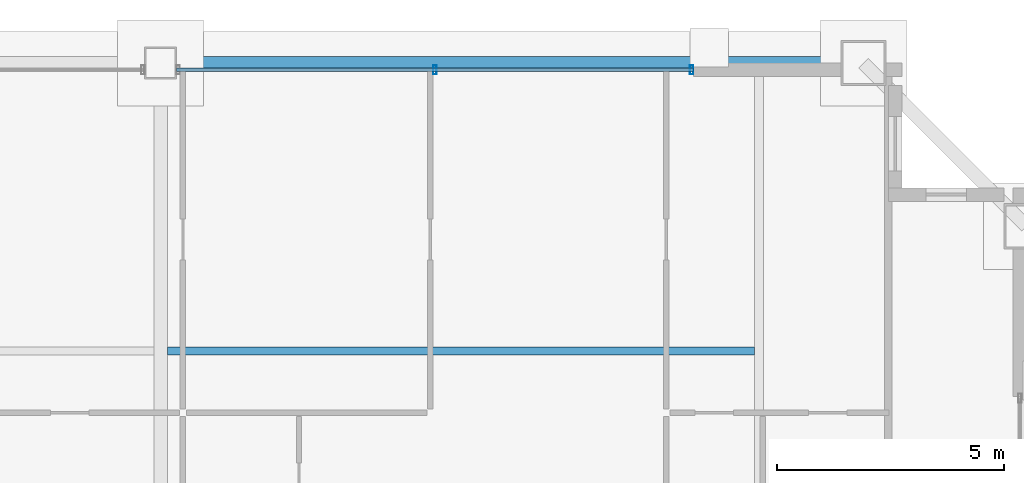
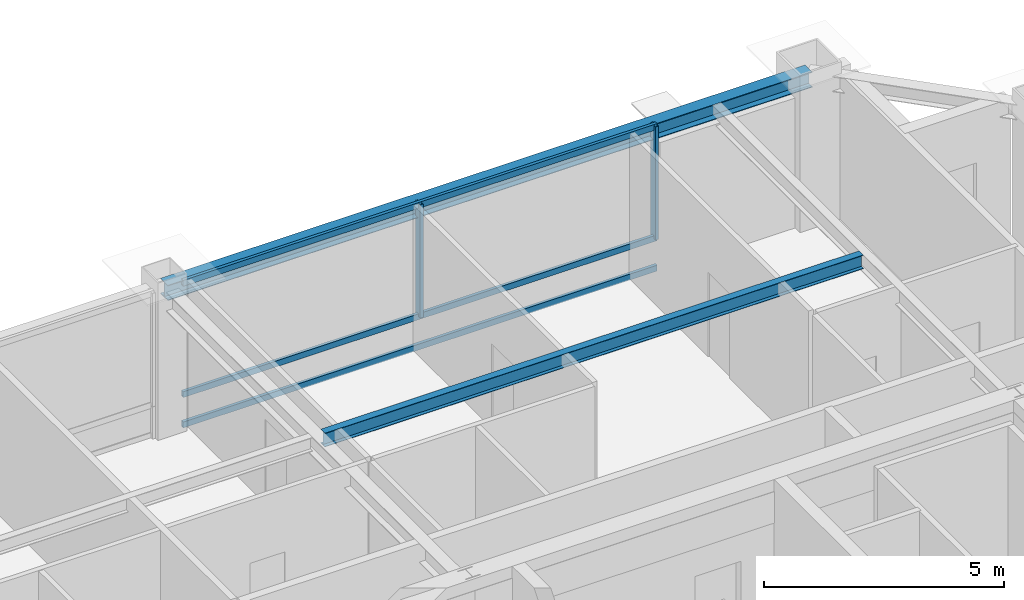
# One storey, part 19 of 34: 5 members, 2 beams, 1 element without a shape of its own.
"""IFC4 building model written with IfcOpenShell, lengths in metres."""

from ifc_helpers import new_model, si_unit, direction, frame, origin, origin_2d, place, context, subcontext, project, spatial, hollow_rectangle, i_section, extrude, source, transform, mapped, material, layer, layer_set, material_profile, profile_set, type_object, element, aggregate, save


model = new_model("IFC4")

# Units and contexts
model_context = context("Model", 3, precision=1e-05, world=origin(), true_north=direction((0.0, 1.0)))
body_context = subcontext(model_context, "Body", "Model", "MODEL_VIEW")
ifc_project = project(units=[si_unit("LENGTHUNIT", "METRE"), si_unit("AREAUNIT", "SQUARE_METRE"), si_unit("VOLUMEUNIT", "CUBIC_METRE"), si_unit("PLANEANGLEUNIT", "RADIAN"), si_unit("MASSUNIT", "GRAM", prefix="KILO"), si_unit("THERMODYNAMICTEMPERATUREUNIT", "KELVIN"), si_unit("POWERUNIT", "WATT")], contexts=[model_context])

# Site, building, storey
site_placement = place(None, origin())
site = spatial("IfcSite", under=ifc_project, at=site_placement, CompositionType="ELEMENT")
building_placement = place(site_placement, origin())
building = spatial("IfcBuilding", under=site, at=building_placement, Name="Yuzanri Waterfront Tower", CompositionType="ELEMENT")
storey_placement = place(building_placement, frame((0.0, 0.0, 347.199951171875)))
storey = spatial("IfcBuildingStorey", under=building, at=storey_placement, Name="L93", CompositionType="ELEMENT", Elevation=347.199951171875)

# Beams
ifc_material_1 = material(Name="Steel Q355B", Category="steel")
ifc_material_profile_1 = material_profile(ifc_material_1, i_section(OverallWidth=0.175048828125, OverallDepth=0.35009765625, WebThickness=0.007080078125, FlangeThickness=0.010986328125, at=origin_2d()), Name="HN 350x175x7x11")
ifc_profile_set_1 = profile_set([ifc_material_profile_1], Name="Steel Q355B")
beam_type_1 = type_object("IfcBeamType", Name="Floor Joist Q355B HN 350x175", PredefinedType="JOIST", material=ifc_profile_set_1)
shared_shape_1 = source(origin(), body_context, "Body", "SweptSolid", [
    extrude(i_section(OverallWidth=0.175048828125, OverallDepth=0.35009765625, WebThickness=0.007080078125, FlangeThickness=0.010986328125, at=origin_2d()), origin(), (0.0, 0.0, 1.0), 12.9501953125),
])
beam_1_placement = place(storey_placement, frame((37.14990234375, 38.550048828125, 3.525146484375), z_axis=(1.0, 0.0, 0.0), x_axis=(0.0, 1.0, 0.0)))
element("IfcBeam", 1, at=beam_1_placement, inside=storey, type_object=beam_type_1, Name="L93 North Bay Joist E", PredefinedType="JOIST", context=body_context, shape_type="MappedRepresentation", body=[
    mapped(shared_shape_1, transform((0.0, 0.0, 0.0), scale=1.0)),
])
ifc_material_2 = material(Name="Steel Q355B", Category="steel")
ifc_material_profile_2 = material_profile(ifc_material_2, i_section(OverallWidth=0.300048828125, OverallDepth=0.389892578125, WebThickness=0.010009765625, FlangeThickness=0.01611328125, at=origin_2d()), Name="HM 390x300x10x16")
ifc_profile_set_2 = profile_set([ifc_material_profile_2], Name="Steel Q355B")
beam_type_2 = type_object("IfcBeamType", Name="Perimeter Spandrel Q355B HM 390x300", PredefinedType="SPANDREL", material=ifc_profile_set_2)
shared_shape_2 = source(origin(), body_context, "Body", "SweptSolid", [
    extrude(i_section(OverallWidth=0.300048828125, OverallDepth=0.389892578125, WebThickness=0.010009765625, FlangeThickness=0.01611328125, at=origin_2d()), origin(), (0.0, 0.0, 1.0), 15.5),
])
beam_2_placement = place(storey_placement, frame((52.5, 44.89990234375, 3.505126953125), z_axis=(-1.0, 0.0, 0.0), x_axis=(0.0, -1.0, 0.0)))
element("IfcBeam", 2, at=beam_2_placement, inside=storey, type_object=beam_type_2, Name="L93 Perimeter Spandrel N3-N2", PredefinedType="SPANDREL", context=body_context, shape_type="MappedRepresentation", body=[
    mapped(shared_shape_2, transform((0.0, 0.0, 0.0), scale=1.0)),
])

# Curtain wall, members
ifc_material_3 = material(Name="Anodized Architectural Bronze", Category="metal")
ifc_layer = layer(ifc_material_3, 0.159912109375)
ifc_layer_set = layer_set([ifc_layer], Name="Anodized Architectural Bronze")
curtain_wall_type = type_object("IfcCurtainWallType", Name="Anodized Bronze High-Rise Penthouse High-Wind Unitized Curtain Wall 6900", PredefinedType="NOTDEFINED", material=ifc_layer_set)
curtain_wall_placement = place(storey_placement, origin())
curtain_wall = element("IfcCurtainWall", 3, at=curtain_wall_placement, inside=storey, type_object=curtain_wall_type, Name="L93 Curtain Wall CW-L93-NR", PredefinedType="NOTDEFINED")
ifc_material_4 = material(Name="Anodized Architectural Bronze", Category="metal")
ifc_material_profile_3 = material_profile(ifc_material_4, hollow_rectangle(XDim=0.074951171875, YDim=0.14990234375, WallThickness=0.00390625, at=origin_2d()), Name="CWT 75x150")
ifc_profile_set_3 = profile_set([ifc_material_profile_3], Name="Anodized Architectural Bronze")
member_type_1 = type_object("IfcMemberType", Name="Anodized Bronze Primary Curtain-Wall Transom 75x150", PredefinedType="USERDEFINED", material=ifc_profile_set_3)
shared_shape_3 = source(origin(), body_context, "Body", "SweptSolid", [
    extrude(hollow_rectangle(XDim=0.074951171875, YDim=0.14990234375, WallThickness=0.00390625, at=origin_2d()), origin(), (0.0, 0.0, 1.0), 11.39990234375),
])
member_1_placement = place(storey_placement, frame((37.35009765625, 44.75, 0.050048828125), z_axis=(1.0, 0.0, 0.0), x_axis=(0.0, 1.0, 0.0)))
member_1 = element("IfcMember", 4, at=member_1_placement, type_object=member_type_1, Name="CW-L93-NR Transom 1", ObjectType="TRANSOM", PredefinedType="USERDEFINED", context=body_context, shape_type="MappedRepresentation", body=[
    mapped(shared_shape_3, transform((0.0, 0.0, 0.0), scale=1.0)),
])
member_2_placement = place(storey_placement, frame((37.35009765625, 44.75, 0.820068359375), z_axis=(1.0, 0.0, 0.0), x_axis=(0.0, 1.0, 0.0)))
member_2 = element("IfcMember", 5, at=member_2_placement, type_object=member_type_1, Name="CW-L93-NR Transom 2", ObjectType="TRANSOM", PredefinedType="USERDEFINED", context=body_context, shape_type="MappedRepresentation", body=[
    mapped(shared_shape_3, transform((0.0, 0.0, 0.0), scale=1.0)),
])
member_3_placement = place(storey_placement, frame((37.35009765625, 44.75, 3.650146484375), z_axis=(1.0, 0.0, 0.0), x_axis=(0.0, 1.0, 0.0)))
member_3 = element("IfcMember", 6, at=member_3_placement, type_object=member_type_1, Name="CW-L93-NR Transom 3", ObjectType="TRANSOM", PredefinedType="USERDEFINED", context=body_context, shape_type="MappedRepresentation", body=[
    mapped(shared_shape_3, transform((0.0, 0.0, 0.0), scale=1.0)),
])
ifc_material_5 = material(Name="Anodized Architectural Bronze", Category="metal")
ifc_material_profile_4 = material_profile(ifc_material_5, hollow_rectangle(XDim=0.074951171875, YDim=0.199951171875, WallThickness=0.00390625, at=origin_2d()), Name="CWM 75x200")
ifc_profile_set_4 = profile_set([ifc_material_profile_4], Name="Anodized Architectural Bronze")
member_type_2 = type_object("IfcMemberType", Name="Anodized Bronze Primary Curtain-Wall Mullion 75x200", PredefinedType="MULLION", material=ifc_profile_set_4)
shared_shape_4 = source(origin(), body_context, "Body", "SweptSolid", [
    extrude(hollow_rectangle(XDim=0.074951171875, YDim=0.199951171875, WallThickness=0.00390625, at=origin_2d()), origin(), (0.0, 0.0, 1.0), 2.8779296875),
])
member_4_placement = place(storey_placement, frame((43.050048828125, 44.75, 0.822021484375), z_axis=(0.0, 0.0, 1.0), x_axis=(1.0, 0.0, 0.0)))
member_4 = element("IfcMember", 7, at=member_4_placement, type_object=member_type_2, Name="CW-L93-NR Upper Mullion 01", PredefinedType="MULLION", context=body_context, shape_type="MappedRepresentation", body=[
    mapped(shared_shape_4, transform((0.0, 0.0, 0.0), scale=1.0)),
])
member_5_placement = place(storey_placement, frame((48.7099609375, 44.75, 0.822021484375), z_axis=(0.0, 0.0, 1.0), x_axis=(1.0, 0.0, 0.0)))
member_5 = element("IfcMember", 8, at=member_5_placement, type_object=member_type_2, Name="CW-L93-NR Upper Mullion 02", PredefinedType="MULLION", context=body_context, shape_type="MappedRepresentation", body=[
    mapped(shared_shape_4, transform((0.0, 0.0, 0.0), scale=1.0)),
])
aggregate(curtain_wall, [member_4, member_5, member_1, member_2, member_3])

save(model, "model.ifc")
